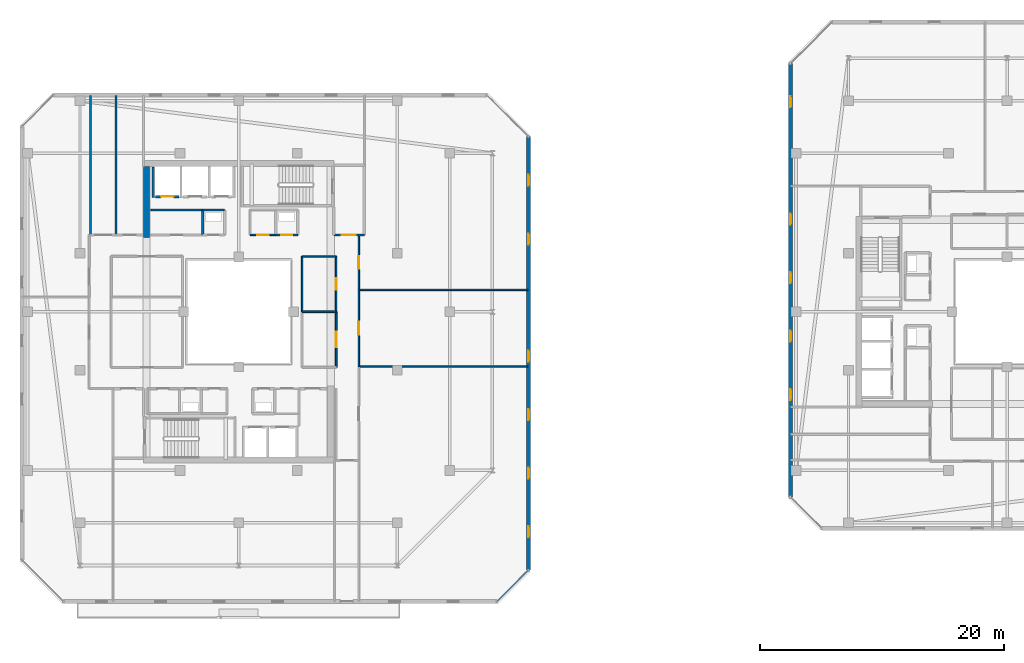
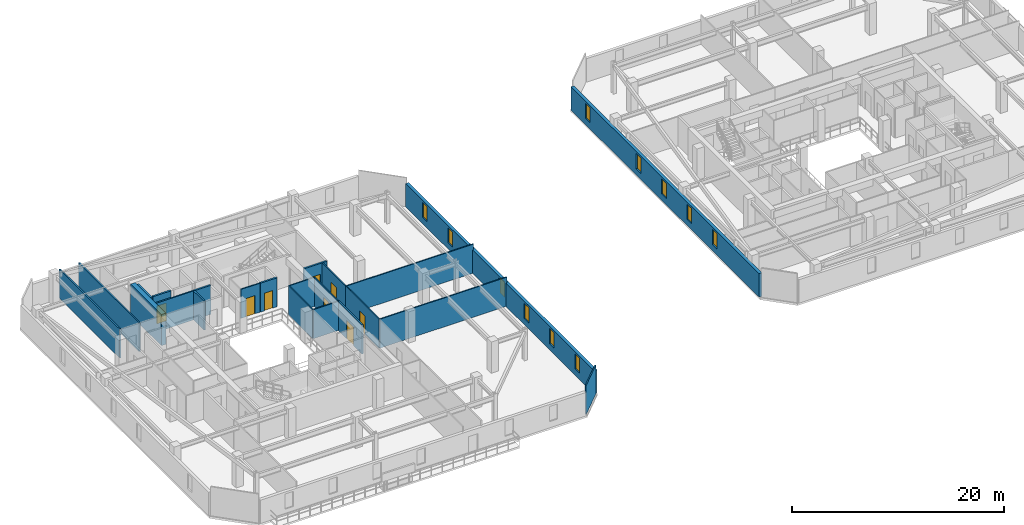
# One storey, part 23 of 35: 23 walls, 11 windows, 8 doors, 19 openings.
"""IFC4 building model written with IfcOpenShell, lengths in metres."""

from ifc_helpers import new_model, si_unit, direction, frame, frame_2d, origin, place, context, subcontext, project, spatial, rectangle, extrude, material, layer, layer_set, type_object, element, fill, save


model = new_model("IFC4")

# Units and contexts
model_context = context("Model", 3, precision=1e-05, world=origin(), true_north=direction((0.0, 1.0)))
body_context = subcontext(model_context, "Body", "Model", "MODEL_VIEW")
ifc_project = project(units=[si_unit("LENGTHUNIT", "METRE"), si_unit("AREAUNIT", "SQUARE_METRE"), si_unit("VOLUMEUNIT", "CUBIC_METRE"), si_unit("PLANEANGLEUNIT", "RADIAN"), si_unit("MASSUNIT", "GRAM", prefix="KILO")], contexts=[model_context])

# Site, building, storey
site_placement = place(None, origin())
site = spatial("IfcSite", under=ifc_project, at=site_placement, CompositionType="ELEMENT")
building_placement = place(site_placement, origin())
building = spatial("IfcBuilding", under=site, at=building_placement, Name="Thornwick Lancets Civic Towers", CompositionType="ELEMENT")
storey_placement = place(building_placement, frame((0.0, 0.0, 265.5)))
storey = spatial("IfcBuildingStorey", under=building, at=storey_placement, Name="L71", CompositionType="ELEMENT", Elevation=265.5)

# Wall, opening, door
ifc_material_1 = material(Name="Concrete blockwork C40/50", Category="masonry")
ifc_layer_1 = layer(ifc_material_1, 0.199951171875, Name="Concrete blockwork C40/50")
ifc_layer_set_1 = layer_set([ifc_layer_1], Name="Concrete blockwork C40/50")
wall_type_1 = type_object("IfcWallType", Name="WALL_COMP_200", PredefinedType="STANDARD", material=ifc_layer_set_1)
wall_1_placement = place(storey_placement, frame((20.6201171875, 36.449951171875, 0.0), z_axis=(0.0, 0.0, 1.0), x_axis=(-1.0, 0.0, 0.0)))
wall_1 = element("IfcWall", 1, at=wall_1_placement, inside=storey, type_object=wall_type_1, Name="L71 Hoistway Front Wall PL-AH3", PredefinedType="STANDARD", context=body_context, shape_type="SweptSolid", body=[
    extrude(rectangle(XDim=1.940185546875, YDim=0.199951171875, at=frame_2d((0.97021484375, 0.0))), origin(), (0.0, 0.0, 1.0), 3.340087890625),
])
opening_1_placement = place(wall_1_placement, frame((0.4599609375, 0.0, 0.0)))
opening_1 = element("IfcOpeningElement", 2, at=opening_1_placement, cuts=wall_1, Name="Opening LD-PL-AH3", PredefinedType="OPENING", context=body_context, shape_type="SweptSolid", body=[
    extrude(rectangle(XDim=1.02001953125, YDim=2.06005859375, at=frame_2d((0.510009765625, 1.030029296875))), frame((0.0, 0.10986328125, 0.0), z_axis=(0.0, -1.0, 0.0), x_axis=(1.0, 0.0, 0.0)), (0.0, 0.0, 1.0), 0.219970703125),
])
ifc_material_2 = material(Name="Brushed bronze stainless steel", Category="steel")
door_type_1 = type_object("IfcDoorType", Name="DOOR_LIFT_SLIDE", OperationType="SLIDING_TO_LEFT", PredefinedType="DOOR", material=ifc_material_2)
door_1_placement = place(opening_1_placement, origin())
door_1 = element("IfcDoor", 3, at=door_1_placement, inside=storey, type_object=door_type_1, Name="L71 Sliding Lift Landing Door LD-PL-AH3", OperationType="SLIDING_TO_LEFT", OverallHeight=2.06005859375, OverallWidth=1.02001953125, PredefinedType="DOOR", context=body_context, shape_type="SweptSolid", body=[
    extrude(rectangle(XDim=1.02001953125, YDim=2.06005859375, at=frame_2d((0.510009765625, 1.030029296875))), frame((0.0, 0.02490234375, 0.0), z_axis=(0.0, -1.0, 0.0), x_axis=(1.0, 0.0, 0.0)), (0.0, 0.0, 1.0), 0.050048828125),
])
fill(opening_1, door_1)

# Wall
wall_2_placement = place(storey_placement, frame((18.5, 36.35205078125, 0.0), z_axis=(0.0, 0.0, 1.0), x_axis=(0.0, 1.0, 0.0)))
element("IfcWall", 4, at=wall_2_placement, inside=storey, type_object=wall_type_1, Name="L71 Hoistway Shaft Wall PL-AH3 W", PredefinedType="STANDARD", context=body_context, shape_type="SweptSolid", body=[
    extrude(rectangle(XDim=2.535888671875, YDim=0.199951171875, at=frame_2d((1.26806640625, 0.0))), origin(), (0.0, 0.0, 1.0), 3.340087890625),
])

# Wall, opening, door
wall_3_placement = place(storey_placement, frame((33.300048828125, 33.300048828125, 0.0), z_axis=(0.0, 0.0, 1.0), x_axis=(1.0, 0.0, 0.0)))
wall_3 = element("IfcWall", 5, at=wall_3_placement, inside=storey, type_object=wall_type_1, Name="L71 Partition L71-A-FFLOB2 E1", PredefinedType="STANDARD", context=body_context, shape_type="SweptSolid", body=[
    extrude(rectangle(XDim=2.5, YDim=0.199951171875, at=frame_2d((1.25, 0.0))), origin(), (0.0, 0.0, 1.0), 3.340087890625),
])
opening_2_placement = place(wall_3_placement, frame((0.659912109375, 0.0, 0.0)))
opening_2 = element("IfcOpeningElement", 6, at=opening_2_placement, cuts=wall_3, Name="Opening D-L71-3226", PredefinedType="OPENING", context=body_context, shape_type="SweptSolid", body=[
    extrude(rectangle(XDim=1.14990234375, YDim=2.10009765625, at=frame_2d((0.574951171875, 1.050048828125))), frame((0.0, 0.10986328125, 0.0), z_axis=(0.0, -1.0, 0.0), x_axis=(1.0, 0.0, 0.0)), (0.0, 0.0, 1.0), 0.219970703125),
])
ifc_material_3 = material(Name="Glazed fire-resisting steel", Category="steel")
door_type_2 = type_object("IfcDoorType", Name="DOOR_LOBBY_FD60", OperationType="NOTDEFINED", PredefinedType="DOOR", material=ifc_material_3)
door_2_placement = place(opening_2_placement, origin())
door_2 = element("IfcDoor", 7, at=door_2_placement, inside=storey, type_object=door_type_2, Name="L71 North Firefighting Lobby 2 Door", OperationType="SINGLE_SWING_LEFT", OverallHeight=2.10009765625, OverallWidth=1.14990234375, PredefinedType="DOOR", context=body_context, shape_type="SweptSolid", body=[
    extrude(rectangle(XDim=1.14990234375, YDim=2.10009765625, at=frame_2d((0.574951171875, 1.050048828125))), frame((0.0, 0.02490234375, 0.0), z_axis=(0.0, -1.0, 0.0), x_axis=(1.0, 0.0, 0.0)), (0.0, 0.0, 1.0), 0.050048828125),
])
fill(opening_2, door_2)

# Walls
wall_4_placement = place(storey_placement, frame((24.35009765625, 35.35009765625, 0.0), z_axis=(0.0, 0.0, 1.0), x_axis=(-1.0, 0.0, 0.0)))
element("IfcWall", 8, at=wall_4_placement, inside=storey, type_object=wall_type_1, Name="L71 Partition L71-A-DUCT2 E3", PredefinedType="STANDARD", context=body_context, shape_type="SweptSolid", body=[
    extrude(rectangle(XDim=1.800048828125, YDim=0.199951171875, at=frame_2d((0.89990234375, 0.0))), origin(), (0.0, 0.0, 1.0), 3.340087890625),
])
wall_5_placement = place(storey_placement, frame((22.550048828125, 35.35009765625, 0.0), z_axis=(0.0, 0.0, 1.0), x_axis=(0.0, -1.0, 0.0)))
element("IfcWall", 9, at=wall_5_placement, inside=storey, type_object=wall_type_1, Name="L71 Partition L71-A-DUCT2 E4", PredefinedType="STANDARD", context=body_context, shape_type="SweptSolid", body=[
    extrude(rectangle(XDim=2.050048828125, YDim=0.199951171875, at=frame_2d((1.02490234375, 0.0))), origin(), (0.0, 0.0, 1.0), 3.340087890625),
])

# Wall, opening, door
wall_6_placement = place(storey_placement, frame((28.550048828125, 33.300048828125, 0.0), z_axis=(0.0, 0.0, 1.0), x_axis=(1.0, 0.0, 0.0)))
wall_6 = element("IfcWall", 10, at=wall_6_placement, inside=storey, type_object=wall_type_1, Name="L71 Partition L71-A-RISER2 E1", PredefinedType="STANDARD", context=body_context, shape_type="SweptSolid", body=[
    extrude(rectangle(XDim=1.800048828125, YDim=0.199951171875, at=frame_2d((0.89990234375, 0.0))), origin(), (0.0, 0.0, 1.0), 3.340087890625),
])
opening_3_placement = place(wall_6_placement, frame((0.4599609375, 0.0, 0.0)))
opening_3 = element("IfcOpeningElement", 11, at=opening_3_placement, cuts=wall_6, Name="Opening D-L71-3230", PredefinedType="OPENING", context=body_context, shape_type="SweptSolid", body=[
    extrude(rectangle(XDim=0.8798828125, YDim=2.0400390625, at=frame_2d((0.43994140625, 1.02001953125))), frame((0.0, 0.10986328125, 0.0), z_axis=(0.0, -1.0, 0.0), x_axis=(1.0, 0.0, 0.0)), (0.0, 0.0, 1.0), 0.219970703125),
])
ifc_material_4 = material(Name="Steel riser access doorset", Category="steel")
door_type_3 = type_object("IfcDoorType", Name="DOOR_RISER_850", OperationType="NOTDEFINED", PredefinedType="DOOR", material=ifc_material_4)
door_3_placement = place(opening_3_placement, origin())
door_3 = element("IfcDoor", 12, at=door_3_placement, inside=storey, type_object=door_type_3, Name="L71 North Service Riser 2 Door", OperationType="SINGLE_SWING_LEFT", OverallHeight=2.0400390625, OverallWidth=0.8798828125, PredefinedType="DOOR", context=body_context, shape_type="SweptSolid", body=[
    extrude(rectangle(XDim=0.8798828125, YDim=2.0400390625, at=frame_2d((0.43994140625, 1.02001953125))), frame((0.0, 0.02490234375, 0.0), z_axis=(0.0, -1.0, 0.0), x_axis=(1.0, 0.0, 0.0)), (0.0, 0.0, 1.0), 0.050048828125),
])
fill(opening_3, door_3)

# Wall
ifc_material_5 = material(Name="Concrete C50/60", Category="concrete")
ifc_layer_2 = layer(ifc_material_5, 0.5, Name="Concrete C50/60")
ifc_layer_set_2 = layer_set([ifc_layer_2], Name="Concrete C50/60")
wall_type_2 = type_object("IfcWallType", Name="WALL_CORE_500", PredefinedType="SHEAR", material=ifc_layer_set_2)
wall_7_placement = place(storey_placement, frame((17.949951171875, 33.10009765625, 0.0), z_axis=(0.0, 0.0, 1.0), x_axis=(0.0, 1.0, 0.0)))
element("IfcWall", 13, at=wall_7_placement, inside=storey, type_object=wall_type_2, Name="L71 Split Core A2 Shear Wall W", PredefinedType="SHEAR", context=body_context, shape_type="SweptSolid", body=[
    extrude(rectangle(XDim=5.7998046875, YDim=0.5, at=frame_2d((2.89990234375, 0.0))), origin(), (0.0, 0.0, 1.0), 3.60009765625),
])

# Wall, openings, windows
ifc_material_6 = material(Name="Insulated buff terracotta rainscreen on concrete C40/50", Category="masonry")
ifc_layer_3 = layer(ifc_material_6, 0.320068359375, Name="Insulated buff terracotta rainscreen on concrete C40/50")
ifc_layer_set_3 = layer_set([ifc_layer_3], Name="Insulated buff terracotta rainscreen on concrete C40/50")
wall_type_3 = type_object("IfcWallType", Name="WALL_EXT_TERRA_320", PredefinedType="STANDARD", material=ifc_layer_set_3)
wall_8_placement = place(storey_placement, frame((49.2646484375, 5.818603515625, 0.0), z_axis=(0.0, 0.0, 1.0), x_axis=(-7.5574884e-05, 0.999999997144, 0.0)))
wall_8 = element("IfcWall", 14, at=wall_8_placement, inside=storey, type_object=wall_type_3, Name="L71 Tower A Terracotta Facade Wall E2", PredefinedType="STANDARD", context=body_context, shape_type="SweptSolid", body=[
    extrude(rectangle(XDim=35.534912109375, YDim=0.320068359375, at=frame_2d((17.767578125, 0.0))), origin(), (0.0, 0.0, 1.0), 2.699951171875),
])
opening_4_placement = place(wall_8_placement, frame((2.699951171875, 0.0, 0.719970703125)))
opening_4 = element("IfcOpeningElement", 15, at=opening_4_placement, cuts=wall_8, Name="Opening WL-01", PredefinedType="OPENING", context=body_context, shape_type="SweptSolid", body=[
    extrude(rectangle(XDim=0.89990234375, YDim=1.75, at=frame_2d((0.449951171875, 0.875))), frame((0.0, 0.169921875, 0.0), z_axis=(0.0, -1.0, 0.0), x_axis=(1.0, 0.0, 0.0)), (0.0, 0.0, 1.0), 0.340087890625),
])
opening_5_placement = place(wall_8_placement, frame((7.5, 0.0, 0.719970703125)))
opening_5 = element("IfcOpeningElement", 16, at=opening_5_placement, cuts=wall_8, Name="Opening WL-01", PredefinedType="OPENING", context=body_context, shape_type="SweptSolid", body=[
    extrude(rectangle(XDim=0.89990234375, YDim=1.75, at=frame_2d((0.449951171875, 0.875))), frame((0.0, 0.169921875, 0.0), z_axis=(0.0, -1.0, 0.0), x_axis=(1.0, 0.0, 0.0)), (0.0, 0.0, 1.0), 0.340087890625),
])
opening_6_placement = place(wall_8_placement, frame((12.300048828125, 0.0, 0.719970703125)))
opening_6 = element("IfcOpeningElement", 17, at=opening_6_placement, cuts=wall_8, Name="Opening WL-01", PredefinedType="OPENING", context=body_context, shape_type="SweptSolid", body=[
    extrude(rectangle(XDim=0.89990234375, YDim=1.75, at=frame_2d((0.449951171875, 0.875))), frame((0.0, 0.169921875, 0.0), z_axis=(0.0, -1.0, 0.0), x_axis=(1.0, 0.0, 0.0)), (0.0, 0.0, 1.0), 0.340087890625),
])
opening_7_placement = place(wall_8_placement, frame((17.10009765625, 0.0, 0.719970703125)))
opening_7 = element("IfcOpeningElement", 18, at=opening_7_placement, cuts=wall_8, Name="Opening WL-01", PredefinedType="OPENING", context=body_context, shape_type="SweptSolid", body=[
    extrude(rectangle(XDim=0.89990234375, YDim=1.75, at=frame_2d((0.449951171875, 0.875))), frame((0.0, 0.169921875, 0.0), z_axis=(0.0, -1.0, 0.0), x_axis=(1.0, 0.0, 0.0)), (0.0, 0.0, 1.0), 0.340087890625),
])
opening_8_placement = place(wall_8_placement, frame((26.699951171875, 0.0, 0.719970703125)))
opening_8 = element("IfcOpeningElement", 19, at=opening_8_placement, cuts=wall_8, Name="Opening WL-01", PredefinedType="OPENING", context=body_context, shape_type="SweptSolid", body=[
    extrude(rectangle(XDim=0.89990234375, YDim=1.75, at=frame_2d((0.449951171875, 0.875))), frame((0.0, 0.169921875, 0.0), z_axis=(0.0, -1.0, 0.0), x_axis=(1.0, 0.0, 0.0)), (0.0, 0.0, 1.0), 0.340087890625),
])
opening_9_placement = place(wall_8_placement, frame((31.5, 0.0, 0.719970703125)))
opening_9 = element("IfcOpeningElement", 20, at=opening_9_placement, cuts=wall_8, Name="Opening WL-01", PredefinedType="OPENING", context=body_context, shape_type="SweptSolid", body=[
    extrude(rectangle(XDim=0.89990234375, YDim=1.75, at=frame_2d((0.449951171875, 0.875))), frame((0.0, 0.169921875, 0.0), z_axis=(0.0, -1.0, 0.0), x_axis=(1.0, 0.0, 0.0)), (0.0, 0.0, 1.0), 0.340087890625),
])
ifc_material_7 = material(Name="Clear low-e double glazing in bronze frame", Category="glass")
window_type = type_object("IfcWindowType", Name="WIN_LANCET_900", PartitioningType="SINGLE_PANEL", PredefinedType="WINDOW", material=ifc_material_7)
window_1_placement = place(opening_4_placement, origin())
window_1 = element("IfcWindow", 21, at=window_1_placement, inside=storey, type_object=window_type, Name="L71 Tower A Staggered Lancet Window E2-1", OverallHeight=1.75, OverallWidth=0.89990234375, PartitioningType="SINGLE_PANEL", PredefinedType="WINDOW", context=body_context, shape_type="SweptSolid", body=[
    extrude(rectangle(XDim=0.89990234375, YDim=1.75, at=frame_2d((0.449951171875, 0.875))), frame((0.0, 0.030029296875, 0.0), z_axis=(0.0, -1.0, 0.0), x_axis=(1.0, 0.0, 0.0)), (0.0, 0.0, 1.0), 0.06005859375),
])
fill(opening_4, window_1)
window_2_placement = place(opening_5_placement, origin())
window_2 = element("IfcWindow", 22, at=window_2_placement, inside=storey, type_object=window_type, Name="L71 Tower A Staggered Lancet Window E2-2", OverallHeight=1.75, OverallWidth=0.89990234375, PartitioningType="SINGLE_PANEL", PredefinedType="WINDOW", context=body_context, shape_type="SweptSolid", body=[
    extrude(rectangle(XDim=0.89990234375, YDim=1.75, at=frame_2d((0.449951171875, 0.875))), frame((0.0, 0.030029296875, 0.0), z_axis=(0.0, -1.0, 0.0), x_axis=(1.0, 0.0, 0.0)), (0.0, 0.0, 1.0), 0.06005859375),
])
fill(opening_5, window_2)
window_3_placement = place(opening_6_placement, origin())
window_3 = element("IfcWindow", 23, at=window_3_placement, inside=storey, type_object=window_type, Name="L71 Tower A Staggered Lancet Window E2-3", OverallHeight=1.75, OverallWidth=0.89990234375, PartitioningType="SINGLE_PANEL", PredefinedType="WINDOW", context=body_context, shape_type="SweptSolid", body=[
    extrude(rectangle(XDim=0.89990234375, YDim=1.75, at=frame_2d((0.449951171875, 0.875))), frame((0.0, 0.030029296875, 0.0), z_axis=(0.0, -1.0, 0.0), x_axis=(1.0, 0.0, 0.0)), (0.0, 0.0, 1.0), 0.06005859375),
])
fill(opening_6, window_3)
window_4_placement = place(opening_7_placement, origin())
window_4 = element("IfcWindow", 24, at=window_4_placement, inside=storey, type_object=window_type, Name="L71 Tower A Staggered Lancet Window E2-4", OverallHeight=1.75, OverallWidth=0.89990234375, PartitioningType="SINGLE_PANEL", PredefinedType="WINDOW", context=body_context, shape_type="SweptSolid", body=[
    extrude(rectangle(XDim=0.89990234375, YDim=1.75, at=frame_2d((0.449951171875, 0.875))), frame((0.0, 0.030029296875, 0.0), z_axis=(0.0, -1.0, 0.0), x_axis=(1.0, 0.0, 0.0)), (0.0, 0.0, 1.0), 0.06005859375),
])
fill(opening_7, window_4)
window_5_placement = place(opening_8_placement, origin())
window_5 = element("IfcWindow", 25, at=window_5_placement, inside=storey, type_object=window_type, Name="L71 Tower A Staggered Lancet Window E2-5", OverallHeight=1.75, OverallWidth=0.89990234375, PartitioningType="SINGLE_PANEL", PredefinedType="WINDOW", context=body_context, shape_type="SweptSolid", body=[
    extrude(rectangle(XDim=0.89990234375, YDim=1.75, at=frame_2d((0.449951171875, 0.875))), frame((0.0, 0.030029296875, 0.0), z_axis=(0.0, -1.0, 0.0), x_axis=(1.0, 0.0, 0.0)), (0.0, 0.0, 1.0), 0.06005859375),
])
fill(opening_8, window_5)
window_6_placement = place(opening_9_placement, origin())
window_6 = element("IfcWindow", 26, at=window_6_placement, inside=storey, type_object=window_type, Name="L71 Tower A Staggered Lancet Window E2-6", OverallHeight=1.75, OverallWidth=0.89990234375, PartitioningType="SINGLE_PANEL", PredefinedType="WINDOW", context=body_context, shape_type="SweptSolid", body=[
    extrude(rectangle(XDim=0.89990234375, YDim=1.75, at=frame_2d((0.449951171875, 0.875))), frame((0.0, 0.030029296875, 0.0), z_axis=(0.0, -1.0, 0.0), x_axis=(1.0, 0.0, 0.0)), (0.0, 0.0, 1.0), 0.06005859375),
])
fill(opening_9, window_6)

wall_9_placement = place(storey_placement, frame((70.738037109375, 47.353515625, 0.0), z_axis=(0.0, 0.0, 1.0), x_axis=(-7.5574884e-05, -0.999999997144, 0.0)))
wall_9 = element("IfcWall", 27, at=wall_9_placement, inside=storey, type_object=wall_type_3, Name="L71 Tower B Terracotta Facade Wall E6", PredefinedType="STANDARD", context=body_context, shape_type="SweptSolid", body=[
    extrude(rectangle(XDim=35.534912109375, YDim=0.320068359375, at=frame_2d((17.767578125, 0.0))), origin(), (0.0, 0.0, 1.0), 2.699951171875),
])
opening_10_placement = place(wall_9_placement, frame((2.699951171875, 0.0, 0.719970703125)))
opening_10 = element("IfcOpeningElement", 28, at=opening_10_placement, cuts=wall_9, Name="Opening WL-01", PredefinedType="OPENING", context=body_context, shape_type="SweptSolid", body=[
    extrude(rectangle(XDim=0.89990234375, YDim=1.75, at=frame_2d((0.449951171875, 0.875))), frame((0.0, 0.169921875, 0.0), z_axis=(0.0, -1.0, 0.0), x_axis=(1.0, 0.0, 0.0)), (0.0, 0.0, 1.0), 0.340087890625),
])
opening_11_placement = place(wall_9_placement, frame((12.300048828125, 0.0, 0.719970703125)))
opening_11 = element("IfcOpeningElement", 29, at=opening_11_placement, cuts=wall_9, Name="Opening WL-01", PredefinedType="OPENING", context=body_context, shape_type="SweptSolid", body=[
    extrude(rectangle(XDim=0.89990234375, YDim=1.75, at=frame_2d((0.449951171875, 0.875))), frame((0.0, 0.169921875, 0.0), z_axis=(0.0, -1.0, 0.0), x_axis=(1.0, 0.0, 0.0)), (0.0, 0.0, 1.0), 0.340087890625),
])
opening_12_placement = place(wall_9_placement, frame((17.10009765625, 0.0, 0.719970703125)))
opening_12 = element("IfcOpeningElement", 30, at=opening_12_placement, cuts=wall_9, Name="Opening WL-01", PredefinedType="OPENING", context=body_context, shape_type="SweptSolid", body=[
    extrude(rectangle(XDim=0.89990234375, YDim=1.75, at=frame_2d((0.449951171875, 0.875))), frame((0.0, 0.169921875, 0.0), z_axis=(0.0, -1.0, 0.0), x_axis=(1.0, 0.0, 0.0)), (0.0, 0.0, 1.0), 0.340087890625),
])
opening_13_placement = place(wall_9_placement, frame((21.89990234375, 0.0, 0.719970703125)))
opening_13 = element("IfcOpeningElement", 31, at=opening_13_placement, cuts=wall_9, Name="Opening WL-01", PredefinedType="OPENING", context=body_context, shape_type="SweptSolid", body=[
    extrude(rectangle(XDim=0.89990234375, YDim=1.75, at=frame_2d((0.449951171875, 0.875))), frame((0.0, 0.169921875, 0.0), z_axis=(0.0, -1.0, 0.0), x_axis=(1.0, 0.0, 0.0)), (0.0, 0.0, 1.0), 0.340087890625),
])
opening_14_placement = place(wall_9_placement, frame((26.699951171875, 0.0, 0.719970703125)))
opening_14 = element("IfcOpeningElement", 32, at=opening_14_placement, cuts=wall_9, Name="Opening WL-01", PredefinedType="OPENING", context=body_context, shape_type="SweptSolid", body=[
    extrude(rectangle(XDim=0.89990234375, YDim=1.75, at=frame_2d((0.449951171875, 0.875))), frame((0.0, 0.169921875, 0.0), z_axis=(0.0, -1.0, 0.0), x_axis=(1.0, 0.0, 0.0)), (0.0, 0.0, 1.0), 0.340087890625),
])
window_7_placement = place(opening_10_placement, origin())
window_7 = element("IfcWindow", 33, at=window_7_placement, inside=storey, type_object=window_type, Name="L71 Tower B Staggered Lancet Window E6-1", OverallHeight=1.75, OverallWidth=0.89990234375, PartitioningType="SINGLE_PANEL", PredefinedType="WINDOW", context=body_context, shape_type="SweptSolid", body=[
    extrude(rectangle(XDim=0.89990234375, YDim=1.75, at=frame_2d((0.449951171875, 0.875))), frame((0.0, 0.030029296875, 0.0), z_axis=(0.0, -1.0, 0.0), x_axis=(1.0, 0.0, 0.0)), (0.0, 0.0, 1.0), 0.06005859375),
])
fill(opening_10, window_7)
window_8_placement = place(opening_11_placement, origin())
window_8 = element("IfcWindow", 34, at=window_8_placement, inside=storey, type_object=window_type, Name="L71 Tower B Staggered Lancet Window E6-2", OverallHeight=1.75, OverallWidth=0.89990234375, PartitioningType="SINGLE_PANEL", PredefinedType="WINDOW", context=body_context, shape_type="SweptSolid", body=[
    extrude(rectangle(XDim=0.89990234375, YDim=1.75, at=frame_2d((0.449951171875, 0.875))), frame((0.0, 0.030029296875, 0.0), z_axis=(0.0, -1.0, 0.0), x_axis=(1.0, 0.0, 0.0)), (0.0, 0.0, 1.0), 0.06005859375),
])
fill(opening_11, window_8)
window_9_placement = place(opening_12_placement, origin())
window_9 = element("IfcWindow", 35, at=window_9_placement, inside=storey, type_object=window_type, Name="L71 Tower B Staggered Lancet Window E6-3", OverallHeight=1.75, OverallWidth=0.89990234375, PartitioningType="SINGLE_PANEL", PredefinedType="WINDOW", context=body_context, shape_type="SweptSolid", body=[
    extrude(rectangle(XDim=0.89990234375, YDim=1.75, at=frame_2d((0.449951171875, 0.875))), frame((0.0, 0.030029296875, 0.0), z_axis=(0.0, -1.0, 0.0), x_axis=(1.0, 0.0, 0.0)), (0.0, 0.0, 1.0), 0.06005859375),
])
fill(opening_12, window_9)
window_10_placement = place(opening_13_placement, origin())
window_10 = element("IfcWindow", 36, at=window_10_placement, inside=storey, type_object=window_type, Name="L71 Tower B Staggered Lancet Window E6-4", OverallHeight=1.75, OverallWidth=0.89990234375, PartitioningType="SINGLE_PANEL", PredefinedType="WINDOW", context=body_context, shape_type="SweptSolid", body=[
    extrude(rectangle(XDim=0.89990234375, YDim=1.75, at=frame_2d((0.449951171875, 0.875))), frame((0.0, 0.030029296875, 0.0), z_axis=(0.0, -1.0, 0.0), x_axis=(1.0, 0.0, 0.0)), (0.0, 0.0, 1.0), 0.06005859375),
])
fill(opening_13, window_10)
window_11_placement = place(opening_14_placement, origin())
window_11 = element("IfcWindow", 37, at=window_11_placement, inside=storey, type_object=window_type, Name="L71 Tower B Staggered Lancet Window E6-5", OverallHeight=1.75, OverallWidth=0.89990234375, PartitioningType="SINGLE_PANEL", PredefinedType="WINDOW", context=body_context, shape_type="SweptSolid", body=[
    extrude(rectangle(XDim=0.89990234375, YDim=1.75, at=frame_2d((0.449951171875, 0.875))), frame((0.0, 0.030029296875, 0.0), z_axis=(0.0, -1.0, 0.0), x_axis=(1.0, 0.0, 0.0)), (0.0, 0.0, 1.0), 0.06005859375),
])
fill(opening_14, window_11)

# Wall, opening, door
ifc_material_8 = material(Name="Acoustic gypsum board partition")
ifc_layer_4 = layer(ifc_material_8, 0.1201171875, Name="Acoustic gypsum board partition")
ifc_layer_set_4 = layer_set([ifc_layer_4], Name="Acoustic gypsum board partition")
wall_type_4 = type_object("IfcWallType", Name="WALL_PART_120", PredefinedType="PARTITIONING", material=ifc_layer_set_4)
wall_10_placement = place(storey_placement, frame((28.550048828125, 33.300048828125, 0.0), z_axis=(0.0, 0.0, 1.0), x_axis=(-1.0, 0.0, 0.0)))
wall_10 = element("IfcWall", 38, at=wall_10_placement, inside=storey, type_object=wall_type_4, Name="L71 Partition L71-A-ITR E4", PredefinedType="PARTITIONING", context=body_context, shape_type="SweptSolid", body=[
    extrude(rectangle(XDim=2.10009765625, YDim=0.1201171875, at=frame_2d((1.050048828125, 0.0))), origin(), (0.0, 0.0, 1.0), 3.340087890625),
])
opening_15_placement = place(wall_10_placement, frame((0.574951171875, 0.0, 0.0)))
opening_15 = element("IfcOpeningElement", 39, at=opening_15_placement, cuts=wall_10, Name="Opening D-L71-3236", PredefinedType="OPENING", context=body_context, shape_type="SweptSolid", body=[
    extrude(rectangle(XDim=0.949951171875, YDim=2.10009765625, at=frame_2d((0.47509765625, 1.050048828125))), frame((0.0, 0.070068359375, 0.0), z_axis=(0.0, -1.0, 0.0), x_axis=(1.0, 0.0, 0.0)), (0.0, 0.0, 1.0), 0.14013671875),
])
ifc_material_9 = material(Name="European oak acoustic doorset")
door_type_4 = type_object("IfcDoorType", Name="DOOR_OFFICE_950", OperationType="NOTDEFINED", PredefinedType="DOOR", material=ifc_material_9)
door_4_placement = place(opening_15_placement, origin())
door_4 = element("IfcDoor", 40, at=door_4_placement, inside=storey, type_object=door_type_4, Name="L71 Tower A Comms Patch Room Door", OperationType="SINGLE_SWING_LEFT", OverallHeight=2.10009765625, OverallWidth=0.949951171875, PredefinedType="DOOR", context=body_context, shape_type="SweptSolid", body=[
    extrude(rectangle(XDim=0.949951171875, YDim=2.10009765625, at=frame_2d((0.47509765625, 1.050048828125))), frame((0.0, 0.02490234375, 0.0), z_axis=(0.0, -1.0, 0.0), x_axis=(1.0, 0.0, 0.0)), (0.0, 0.0, 1.0), 0.050048828125),
])
fill(opening_15, door_4)

# Walls
wall_11_placement = place(storey_placement, frame((35.35009765625, 22.5, 0.0), z_axis=(0.0, 0.0, 1.0), x_axis=(1.0, 0.0, 0.0)))
element("IfcWall", 41, at=wall_11_placement, inside=storey, type_object=wall_type_4, Name="L71 Partition L71-A-E1 E4", PredefinedType="PARTITIONING", context=body_context, shape_type="SweptSolid", body=[
    extrude(rectangle(XDim=13.869873046875, YDim=0.1201171875, at=frame_2d((6.93505859375, 0.0))), origin(), (0.0, 0.0, 1.0), 3.340087890625),
])
wall_12_placement = place(storey_placement, frame((49.219970703125, 5.774658203125, 0.0), z_axis=(0.0, 0.0, 1.0), x_axis=(-0.707106781187, -0.707106781187, 0.0)))
element("IfcWall", 42, at=wall_12_placement, inside=storey, type_object=wall_type_4, Name="L71 Partition L71-A-E1 E6", PredefinedType="PARTITIONING", context=body_context, shape_type="SweptSolid", body=[
    extrude(rectangle(XDim=3.52783203125, YDim=0.1201171875, at=frame_2d((1.763916015625, 0.0))), origin(), (0.0, 0.0, 1.0), 3.340087890625),
])

# Wall, opening, door
wall_13_placement = place(storey_placement, frame((35.35009765625, 22.5, 0.0), z_axis=(0.0, 0.0, 1.0), x_axis=(0.0, 1.0, 0.0)))
wall_13 = element("IfcWall", 43, at=wall_13_placement, inside=storey, type_object=wall_type_4, Name="L71 Partition L71-A-E2 E1", PredefinedType="PARTITIONING", context=body_context, shape_type="SweptSolid", body=[
    extrude(rectangle(XDim=6.300048828125, YDim=0.1201171875, at=frame_2d((3.14990234375, 0.0))), origin(), (0.0, 0.0, 1.0), 3.340087890625),
])
opening_16_placement = place(wall_13_placement, frame((2.625, 0.0, 0.0)))
opening_16 = element("IfcOpeningElement", 44, at=opening_16_placement, cuts=wall_13, Name="Opening D-L71-3257", PredefinedType="OPENING", context=body_context, shape_type="SweptSolid", body=[
    extrude(rectangle(XDim=1.050048828125, YDim=2.10009765625, at=frame_2d((0.52490234375, 1.050048828125))), frame((0.0, 0.070068359375, 0.0), z_axis=(0.0, -1.0, 0.0), x_axis=(1.0, 0.0, 0.0)), (0.0, 0.0, 1.0), 0.14013671875),
])
ifc_material_10 = material(Name="Glazed European oak executive doorset")
door_type_5 = type_object("IfcDoorType", Name="DOOR_OFFICE_1050", OperationType="NOTDEFINED", PredefinedType="DOOR", material=ifc_material_10)
door_5_placement = place(opening_16_placement, origin())
door_5 = element("IfcDoor", 45, at=door_5_placement, inside=storey, type_object=door_type_5, Name="L71 Tower A Visitors Reception and Waiting Door", OperationType="SINGLE_SWING_RIGHT", OverallHeight=2.10009765625, OverallWidth=1.050048828125, PredefinedType="DOOR", context=body_context, shape_type="SweptSolid", body=[
    extrude(rectangle(XDim=1.050048828125, YDim=2.10009765625, at=frame_2d((0.52490234375, 1.050048828125))), frame((0.0, 0.02490234375, 0.0), z_axis=(0.0, -1.0, 0.0), x_axis=(1.0, 0.0, 0.0)), (0.0, 0.0, 1.0), 0.050048828125),
])
fill(opening_16, door_5)

# Wall
wall_14_placement = place(storey_placement, frame((35.35009765625, 28.800048828125, 0.0), z_axis=(0.0, 0.0, 1.0), x_axis=(1.0, 0.0, 0.0)))
element("IfcWall", 46, at=wall_14_placement, inside=storey, type_object=wall_type_4, Name="L71 Partition L71-A-E2 E2", PredefinedType="PARTITIONING", context=body_context, shape_type="SweptSolid", body=[
    extrude(rectangle(XDim=13.869873046875, YDim=0.1201171875, at=frame_2d((6.93505859375, 0.0))), origin(), (0.0, 0.0, 1.0), 3.340087890625),
])

# Wall, opening, door
wall_15_placement = place(storey_placement, frame((35.35009765625, 28.800048828125, 0.0), z_axis=(0.0, 0.0, 1.0), x_axis=(0.0, 1.0, 0.0)))
wall_15 = element("IfcWall", 47, at=wall_15_placement, inside=storey, type_object=wall_type_4, Name="L71 Partition L71-A-E3 E8", PredefinedType="PARTITIONING", context=body_context, shape_type="SweptSolid", body=[
    extrude(rectangle(XDim=4.5, YDim=0.1201171875, at=frame_2d((2.25, 0.0))), origin(), (0.0, 0.0, 1.0), 3.340087890625),
])
opening_17_placement = place(wall_15_placement, frame((1.72509765625, 0.0, 0.0)))
opening_17 = element("IfcOpeningElement", 48, at=opening_17_placement, cuts=wall_15, Name="Opening D-L71-3258", PredefinedType="OPENING", context=body_context, shape_type="SweptSolid", body=[
    extrude(rectangle(XDim=1.050048828125, YDim=2.10009765625, at=frame_2d((0.52490234375, 1.050048828125))), frame((0.0, 0.070068359375, 0.0), z_axis=(0.0, -1.0, 0.0), x_axis=(1.0, 0.0, 0.0)), (0.0, 0.0, 1.0), 0.14013671875),
])
door_6_placement = place(opening_17_placement, origin())
door_6 = element("IfcDoor", 49, at=door_6_placement, inside=storey, type_object=door_type_5, Name="L71 Tower A Civic Seminar Room Door", OperationType="SINGLE_SWING_LEFT", OverallHeight=2.10009765625, OverallWidth=1.050048828125, PredefinedType="DOOR", context=body_context, shape_type="SweptSolid", body=[
    extrude(rectangle(XDim=1.050048828125, YDim=2.10009765625, at=frame_2d((0.52490234375, 1.050048828125))), frame((0.0, 0.02490234375, 0.0), z_axis=(0.0, -1.0, 0.0), x_axis=(1.0, 0.0, 0.0)), (0.0, 0.0, 1.0), 0.050048828125),
])
fill(opening_17, door_6)

# Walls
wall_16_placement = place(storey_placement, frame((30.699951171875, 27.0, 0.0), z_axis=(0.0, 0.0, 1.0), x_axis=(0.0, 1.0, 0.0)))
element("IfcWall", 50, at=wall_16_placement, inside=storey, type_object=wall_type_4, Name="L71 Partition L71-A-E-ATR-2 E1", PredefinedType="PARTITIONING", context=body_context, shape_type="SweptSolid", body=[
    extrude(rectangle(XDim=4.550048828125, YDim=0.1201171875, at=frame_2d((2.27490234375, 0.0))), origin(), (0.0, 0.0, 1.0), 3.340087890625),
])
wall_17_placement = place(storey_placement, frame((30.699951171875, 31.550048828125, 0.0), z_axis=(0.0, 0.0, 1.0), x_axis=(1.0, 0.0, 0.0)))
element("IfcWall", 51, at=wall_17_placement, inside=storey, type_object=wall_type_4, Name="L71 Partition L71-A-E-ATR-2 E2", PredefinedType="PARTITIONING", context=body_context, shape_type="SweptSolid", body=[
    extrude(rectangle(XDim=2.800048828125, YDim=0.1201171875, at=frame_2d((1.39990234375, 0.0))), origin(), (0.0, 0.0, 1.0), 3.340087890625),
])

# Wall, opening, door
wall_18_placement = place(storey_placement, frame((33.5, 31.550048828125, 0.0), z_axis=(0.0, 0.0, 1.0), x_axis=(0.0, -1.0, 0.0)))
wall_18 = element("IfcWall", 52, at=wall_18_placement, inside=storey, type_object=wall_type_4, Name="L71 Partition L71-A-E-ATR-2 E3", PredefinedType="PARTITIONING", context=body_context, shape_type="SweptSolid", body=[
    extrude(rectangle(XDim=4.550048828125, YDim=0.1201171875, at=frame_2d((2.27490234375, 0.0))), origin(), (0.0, 0.0, 1.0), 3.340087890625),
])
opening_18_placement = place(wall_18_placement, frame((1.800048828125, 0.0, 0.0)))
opening_18 = element("IfcOpeningElement", 53, at=opening_18_placement, cuts=wall_18, Name="Opening D-L71-3260", PredefinedType="OPENING", context=body_context, shape_type="SweptSolid", body=[
    extrude(rectangle(XDim=0.949951171875, YDim=2.10009765625, at=frame_2d((0.47509765625, 1.050048828125))), frame((0.0, 0.070068359375, 0.0), z_axis=(0.0, -1.0, 0.0), x_axis=(1.0, 0.0, 0.0)), (0.0, 0.0, 1.0), 0.14013671875),
])
door_7_placement = place(opening_18_placement, origin())
door_7 = element("IfcDoor", 54, at=door_7_placement, inside=storey, type_object=door_type_4, Name="L71 Tower A Atrium Research Suite Door", OperationType="SINGLE_SWING_LEFT", OverallHeight=2.10009765625, OverallWidth=0.949951171875, PredefinedType="DOOR", context=body_context, shape_type="SweptSolid", body=[
    extrude(rectangle(XDim=0.949951171875, YDim=2.10009765625, at=frame_2d((0.47509765625, 1.050048828125))), frame((0.0, 0.02490234375, 0.0), z_axis=(0.0, -1.0, 0.0), x_axis=(1.0, 0.0, 0.0)), (0.0, 0.0, 1.0), 0.050048828125),
])
fill(opening_18, door_7)

# Walls
ifc_material_11 = material(Name="Twin-stud acoustic gypsum board")
ifc_layer_5 = layer(ifc_material_11, 0.14990234375, Name="Twin-stud acoustic gypsum board")
ifc_layer_set_5 = layer_set([ifc_layer_5], Name="Twin-stud acoustic gypsum board")
wall_type_5 = type_object("IfcWallType", Name="WALL_PART_150", PredefinedType="PARTITIONING", material=ifc_layer_set_5)
wall_19_placement = place(storey_placement, frame((18.300048828125, 35.35009765625, 0.0), z_axis=(0.0, 0.0, 1.0), x_axis=(1.0, 0.0, 0.0)))
element("IfcWall", 55, at=wall_19_placement, inside=storey, type_object=wall_type_5, Name="L71 Partition L71-A-FWC E2", PredefinedType="PARTITIONING", context=body_context, shape_type="SweptSolid", body=[
    extrude(rectangle(XDim=4.25, YDim=0.14990234375, at=frame_2d((2.125, 0.0))), origin(), (0.0, 0.0, 1.0), 3.340087890625),
])
for number, where, z_axis, x_axis, name in (
    (56, (13.35009765625, 33.300048828125, 0.0), (0.0, 0.0, 1.0), (0.0, 1.0, 0.0), "L71 Partition L71-A-RECLAIM-M1 E1"),
    (57, (15.449951171875, 44.719970703125, 0.0), (0.0, 0.0, 1.0), (0.0, -1.0, 0.0), "L71 Partition L71-A-RECLAIM-M1 E3"),
):
    element("IfcWall", number, at=place(storey_placement, frame(where, z_axis=z_axis, x_axis=x_axis)), inside=storey, type_object=wall_type_5, Name=name, PredefinedType="PARTITIONING", context=body_context, shape_type="SweptSolid", body=[
        extrude(rectangle(XDim=11.419921875, YDim=0.14990234375, at=frame_2d((5.7099609375, 0.0))), origin(), (0.0, 0.0, 1.0), 3.340087890625),
    ])
wall_20_placement = place(storey_placement, frame((30.699951171875, 27.0, 0.0), z_axis=(0.0, 0.0, 1.0), x_axis=(1.0, 0.0, 0.0)))
element("IfcWall", 58, at=wall_20_placement, inside=storey, type_object=wall_type_5, Name="L71 Partition L71-A-E-ATR-1 E2", PredefinedType="PARTITIONING", context=body_context, shape_type="SweptSolid", body=[
    extrude(rectangle(XDim=2.800048828125, YDim=0.14990234375, at=frame_2d((1.39990234375, 0.0))), origin(), (0.0, 0.0, 1.0), 3.340087890625),
])

# Wall, opening, door
wall_21_placement = place(storey_placement, frame((33.5, 27.0, 0.0), z_axis=(0.0, 0.0, 1.0), x_axis=(0.0, -1.0, 0.0)))
wall_21 = element("IfcWall", 59, at=wall_21_placement, inside=storey, type_object=wall_type_5, Name="L71 Partition L71-A-E-ATR-1 E3", PredefinedType="PARTITIONING", context=body_context, shape_type="SweptSolid", body=[
    extrude(rectangle(XDim=4.550048828125, YDim=0.14990234375, at=frame_2d((2.27490234375, 0.0))), origin(), (0.0, 0.0, 1.0), 3.340087890625),
])
opening_19_placement = place(wall_21_placement, frame((1.625, 0.0, 0.0)))
opening_19 = element("IfcOpeningElement", 60, at=opening_19_placement, cuts=wall_21, Name="Opening D-L71-3259", PredefinedType="OPENING", context=body_context, shape_type="SweptSolid", body=[
    extrude(rectangle(XDim=1.300048828125, YDim=2.1201171875, at=frame_2d((0.64990234375, 1.06005859375))), frame((0.0, 0.0849609375, 0.0), z_axis=(0.0, -1.0, 0.0), x_axis=(1.0, 0.0, 0.0)), (0.0, 0.0, 1.0), 0.169921875),
])
ifc_material_12 = material(Name="Acoustic oak leaf-and-a-half doorset")
door_type_6 = type_object("IfcDoorType", Name="DOOR_MEET_1300", OperationType="DOUBLE_DOOR_SINGLE_SWING", PredefinedType="DOOR", material=ifc_material_12)
door_8_placement = place(opening_19_placement, origin())
door_8 = element("IfcDoor", 61, at=door_8_placement, inside=storey, type_object=door_type_6, Name="L71 Tower A Atrium Briefing Room Door", OperationType="DOUBLE_DOOR_SINGLE_SWING", OverallHeight=2.1201171875, OverallWidth=1.300048828125, PredefinedType="DOOR", context=body_context, shape_type="SweptSolid", body=[
    extrude(rectangle(XDim=1.300048828125, YDim=2.1201171875, at=frame_2d((0.64990234375, 1.06005859375))), frame((0.0, 0.02490234375, 0.0), z_axis=(0.0, -1.0, 0.0), x_axis=(1.0, 0.0, 0.0)), (0.0, 0.0, 1.0), 0.050048828125),
])
fill(opening_19, door_8)

save(model, "model.ifc")
